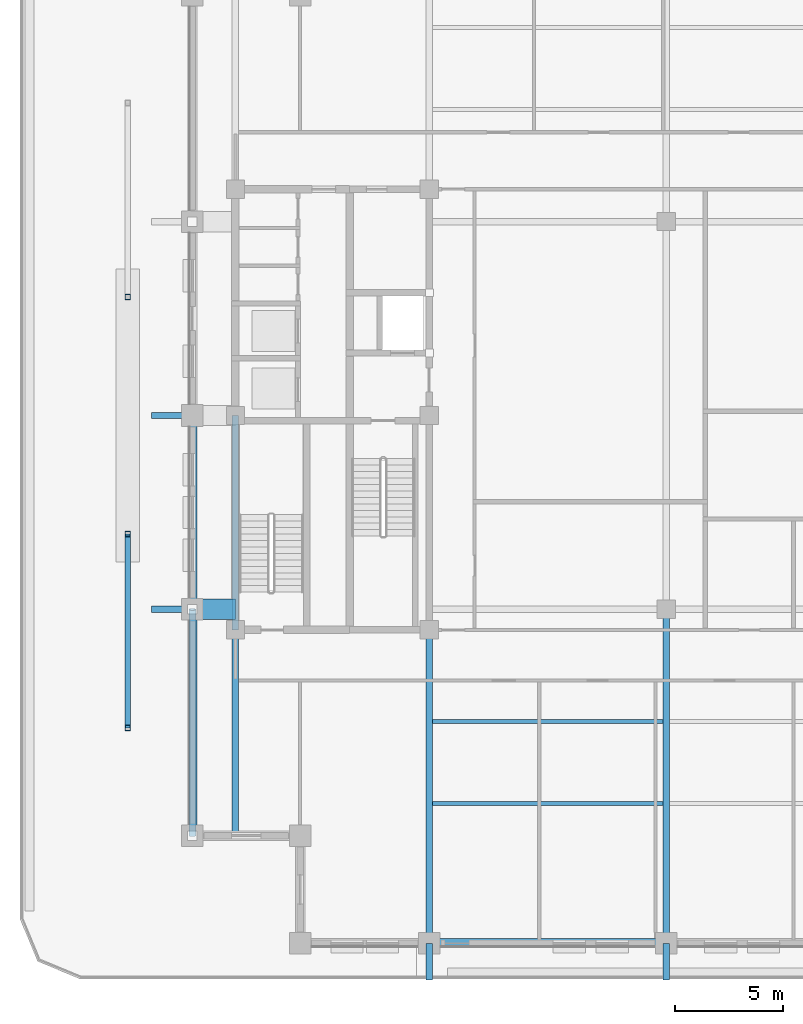
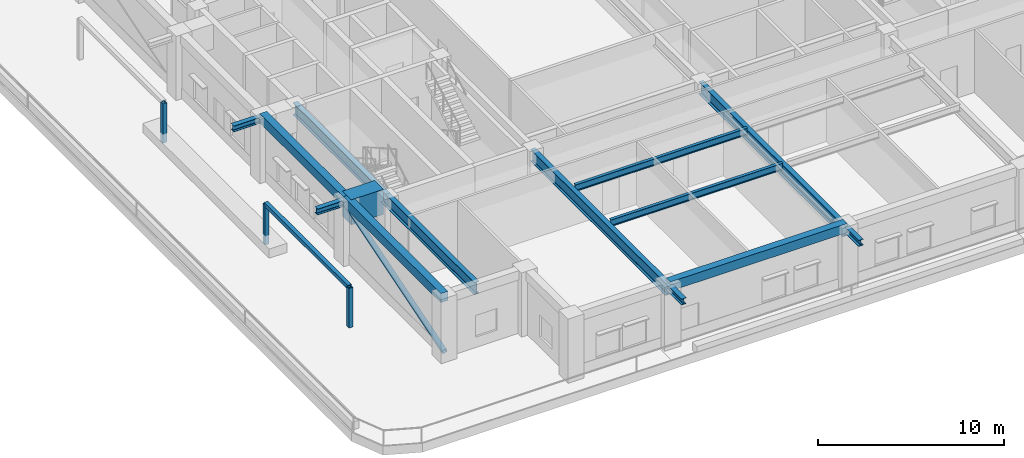
# One storey, part 2 of 20: 14 beams, 5 members.
"""IFC4 building model written with IfcOpenShell, lengths in metres."""

from ifc_helpers import new_model, si_unit, direction, frame, origin, origin_2d, place, context, subcontext, project, spatial, rectangle, hollow_rectangle, hollow_circle, i_section, extrude, material, material_profile, profile_set, type_object, element, save


model = new_model("IFC4")

# Units and contexts
model_context = context("Model", 3, precision=1e-05, world=origin(), true_north=direction((0.0, 1.0)))
body_context = subcontext(model_context, "Body", "Model", "MODEL_VIEW")
ifc_project = project(units=[si_unit("LENGTHUNIT", "METRE"), si_unit("AREAUNIT", "SQUARE_METRE"), si_unit("VOLUMEUNIT", "CUBIC_METRE"), si_unit("PLANEANGLEUNIT", "RADIAN"), si_unit("MASSUNIT", "GRAM", prefix="KILO")], contexts=[model_context])

# Site, building, storey
site_placement = place(None, origin())
site = spatial("IfcSite", under=ifc_project, at=site_placement, CompositionType="ELEMENT")
building_placement = place(site_placement, origin())
building = spatial("IfcBuilding", under=site, at=building_placement, Name="Zulmaris Gate Convention Tower", CompositionType="ELEMENT")
storey_placement = place(building_placement, frame((0.0, 0.0, 158.23974609375)))
storey = spatial("IfcBuildingStorey", under=building, at=storey_placement, Name="L40", CompositionType="ELEMENT", Elevation=158.23974609375)

# Beams
ifc_material_1 = material(Name="Steel S355", Category="steel")
ifc_material_profile_1 = material_profile(ifc_material_1, i_section(OverallWidth=0.300048828125, OverallDepth=0.39990234375, WebThickness=0.013427734375, FlangeThickness=0.02392578125, FilletRadius=0.027099609375, at=origin_2d()), Name="HEB 400")
ifc_profile_set_1 = profile_set([ifc_material_profile_1], Name="Steel S355")
beam_type_1 = type_object("IfcBeamType", Name="BM-HEB400", PredefinedType="BEAM", material=ifc_profile_set_1)
for number, where, z_axis, x_axis, name in (
    (1, (-11.0, -26.199951171875, 3.793212890625), (0.0, 1.0, 0.0), (-1.0, 0.0, 0.0), "L40 Beam TBRK-L40-S--11"),
    (2, (0.0, -26.199951171875, 3.793212890625), (0.0, 1.0, 0.0), (-1.0, 0.0, 0.0), "L40 Beam TBRK-L40-S-+0"),
):
    element("IfcBeam", number, at=place(storey_placement, frame(where, z_axis=z_axis, x_axis=x_axis)), inside=storey, type_object=beam_type_1, Name=name, PredefinedType="BEAM", context=body_context, shape_type="SweptSolid", body=[
        extrude(i_section(OverallWidth=0.300048828125, OverallDepth=0.39990234375, WebThickness=0.013427734375, FlangeThickness=0.02392578125, FilletRadius=0.027099609375, at=origin_2d()), origin(), (0.0, 0.0, 1.0), 1.699951171875),
    ])
for number, where, z_axis, x_axis, name in (
    (3, (-23.89990234375, -9.0, 3.830078125), (1.0, 0.0, 0.0), (0.0, 1.0, 0.0), "L40 Beam TBRK-L40-W--9"),
    (4, (-23.89990234375, 0.0, 3.830078125), (1.0, 0.0, 0.0), (0.0, 1.0, 0.0), "L40 Beam TBRK-L40-W-+0"),
):
    element("IfcBeam", number, at=place(storey_placement, frame(where, z_axis=z_axis, x_axis=x_axis)), inside=storey, type_object=beam_type_1, Name=name, PredefinedType="BEAM", context=body_context, shape_type="SweptSolid", body=[
        extrude(i_section(OverallWidth=0.300048828125, OverallDepth=0.39990234375, WebThickness=0.013427734375, FlangeThickness=0.02392578125, FilletRadius=0.027099609375, at=origin_2d()), origin(), (0.0, 0.0, 1.0), 1.89990234375),
    ])
ifc_material_profile_2 = material_profile(ifc_material_1, i_section(OverallWidth=0.300048828125, OverallDepth=0.800048828125, WebThickness=0.017578125, FlangeThickness=0.032958984375, FilletRadius=0.030029296875, at=origin_2d()), Name="HEB 800")
ifc_profile_set_2 = profile_set([ifc_material_profile_2], Name="Steel S355")
beam_type_2 = type_object("IfcBeamType", Name="BM-HEB800", PredefinedType="BEAM", material=ifc_profile_set_2)
beam_1_placement = place(storey_placement, frame((0.0, -24.5, 3.59326171875), z_axis=(0.0, 1.0, 0.0), x_axis=(-1.0, 0.0, 0.0)))
element("IfcBeam", 5, at=beam_1_placement, inside=storey, type_object=beam_type_2, Name="L40 Beam BM-L40-G05", PredefinedType="BEAM", context=body_context, shape_type="SweptSolid", body=[
    extrude(i_section(OverallWidth=0.300048828125, OverallDepth=0.800048828125, WebThickness=0.017578125, FlangeThickness=0.032958984375, FilletRadius=0.030029296875, at=origin_2d()), origin(), (0.0, 0.0, 1.0), 15.5),
])
beam_2_placement = place(storey_placement, frame((-11.0, -24.5, 3.59326171875), z_axis=(0.0, 1.0, 0.0), x_axis=(-1.0, 0.0, 0.0)))
element("IfcBeam", 6, at=beam_2_placement, inside=storey, type_object=beam_type_2, Name="L40 Beam BM-L40-G08", PredefinedType="BEAM", context=body_context, shape_type="SweptSolid", body=[
    extrude(i_section(OverallWidth=0.300048828125, OverallDepth=0.800048828125, WebThickness=0.017578125, FlangeThickness=0.032958984375, FilletRadius=0.030029296875, at=origin_2d()), origin(), (0.0, 0.0, 1.0), 14.550048828125),
])
beam_3_placement = place(storey_placement, frame((-20.0, -19.5, 3.76806640625), z_axis=(0.0, 1.0, 0.0), x_axis=(-1.0, 0.0, 0.0)))
element("IfcBeam", 7, at=beam_3_placement, inside=storey, type_object=beam_type_2, Name="L40 Beam BM-L40-G12", PredefinedType="BEAM", context=body_context, shape_type="SweptSolid", body=[
    extrude(i_section(OverallWidth=0.300048828125, OverallDepth=0.800048828125, WebThickness=0.017578125, FlangeThickness=0.032958984375, FilletRadius=0.030029296875, at=origin_2d()), origin(), (0.0, 0.0, 1.0), 9.550048828125),
])
beam_4_placement = place(storey_placement, frame((-20.0, -9.949951171875, 3.76806640625), z_axis=(0.0, 1.0, 0.0), x_axis=(-1.0, 0.0, 0.0)))
element("IfcBeam", 8, at=beam_4_placement, inside=storey, type_object=beam_type_2, Name="L40 Beam BM-L40-G26", PredefinedType="BEAM", context=body_context, shape_type="SweptSolid", body=[
    extrude(i_section(OverallWidth=0.300048828125, OverallDepth=0.800048828125, WebThickness=0.017578125, FlangeThickness=0.032958984375, FilletRadius=0.030029296875, at=origin_2d()), origin(), (0.0, 0.0, 1.0), 9.949951171875),
])
ifc_material_2 = material(Name="Precast concrete C50/60", Category="concrete")
ifc_material_profile_3 = material_profile(ifc_material_2, rectangle(XDim=0.449951171875, YDim=0.60009765625, at=origin_2d()), Name="RC SPANDREL 450x600")
ifc_profile_set_3 = profile_set([ifc_material_profile_3], Name="Precast concrete C50/60")
beam_type_3 = type_object("IfcBeamType", Name="BM-SP450x600", PredefinedType="SPANDREL", material=ifc_profile_set_3)
beam_5_placement = place(storey_placement, frame((-11.0, -24.5, 3.8701171875), z_axis=(1.0, 0.0, 0.0), x_axis=(0.0, 1.0, 0.0)))
element("IfcBeam", 9, at=beam_5_placement, inside=storey, type_object=beam_type_3, Name="L40 Spandrel SP-L40-02", PredefinedType="SPANDREL", context=body_context, shape_type="SweptSolid", body=[
    extrude(rectangle(XDim=0.449951171875, YDim=0.60009765625, at=origin_2d()), origin(), (0.0, 0.0, 1.0), 11.0),
])
beam_6_placement = place(storey_placement, frame((-22.0, 0.0, 3.8701171875), z_axis=(0.0, -1.0, 0.0), x_axis=(1.0, 0.0, 0.0)))
element("IfcBeam", 10, at=beam_6_placement, inside=storey, type_object=beam_type_3, Name="L40 Spandrel SP-L40-21", PredefinedType="SPANDREL", context=body_context, shape_type="SweptSolid", body=[
    extrude(rectangle(XDim=0.449951171875, YDim=0.60009765625, at=origin_2d()), origin(), (0.0, 0.0, 1.0), 9.0),
])
beam_7_placement = place(storey_placement, frame((-22.0, -9.0, 3.8701171875), z_axis=(0.0, -1.0, 0.0), x_axis=(1.0, 0.0, 0.0)))
element("IfcBeam", 11, at=beam_7_placement, inside=storey, type_object=beam_type_3, Name="L40 Spandrel SP-L40-22", PredefinedType="SPANDREL", context=body_context, shape_type="SweptSolid", body=[
    extrude(rectangle(XDim=0.449951171875, YDim=0.60009765625, at=origin_2d()), origin(), (0.0, 0.0, 1.0), 10.5),
])
ifc_material_3 = material(Name="Concrete C80/95", Category="concrete")
ifc_material_profile_4 = material_profile(ifc_material_3, rectangle(XDim=0.949951171875, YDim=1.64990234375, at=origin_2d()), Name="RC TRANSFER 950x1650")
ifc_profile_set_4 = profile_set([ifc_material_profile_4], Name="Concrete C80/95")
beam_type_4 = type_object("IfcBeamType", Name="BM-XFER1650", PredefinedType="BEAM", material=ifc_profile_set_4)
beam_8_placement = place(storey_placement, frame((-22.0, -9.0, 3.34521484375), z_axis=(1.0, 0.0, 0.0), x_axis=(0.0, 1.0, 0.0)))
element("IfcBeam", 12, at=beam_8_placement, inside=storey, type_object=beam_type_4, Name="L40 Beam BM-L40-G16", PredefinedType="BEAM", context=body_context, shape_type="SweptSolid", body=[
    extrude(rectangle(XDim=0.949951171875, YDim=1.64990234375, at=origin_2d()), origin(), (0.0, 0.0, 1.0), 2.0),
])

# Member
ifc_material_profile_5 = material_profile(ifc_material_1, hollow_circle(Radius=0.161865234375, WallThickness=0.01611328125, at=origin_2d()), Name="CHS 323.9x16")
ifc_profile_set_5 = profile_set([ifc_material_profile_5], Name="Steel S355")
member_type_1 = type_object("IfcMemberType", Name="BR-CHS324", PredefinedType="BRACE", material=ifc_profile_set_5)
member_1_placement = place(storey_placement, frame((-22.0, -19.5, 0.300048828125), z_axis=(0.0, 0.955285890691, 0.295683728071), x_axis=(-1.0, 0.0, 0.0)))
element("IfcMember", 13, at=member_1_placement, inside=storey, type_object=member_type_1, Name="L40 Perimeter Tube Diagonal SW-W", PredefinedType="BRACE", context=body_context, shape_type="SweptSolid", body=[
    extrude(hollow_circle(Radius=0.161865234375, WallThickness=0.01611328125, at=origin_2d()), origin(), (0.0, 0.0, 1.0), 10.991455078125),
])

# Beams
ifc_material_profile_6 = material_profile(ifc_material_1, i_section(OverallWidth=0.18994140625, OverallDepth=0.449951171875, WebThickness=0.009521484375, FlangeThickness=0.0146484375, FilletRadius=0.02099609375, at=origin_2d()), Name="IPE 450")
ifc_profile_set_6 = profile_set([ifc_material_profile_6], Name="Steel S355")
beam_type_5 = type_object("IfcBeamType", Name="JT-IPE450", PredefinedType="JOIST", material=ifc_profile_set_6)
for number, where, z_axis, x_axis, name in (
    (14, (-10.85009765625, -18.0, 3.943115234375), (1.0, 0.0, 0.0), (0.0, 1.0, 0.0), "L40 Joist JT-L40-CW--18.0"),
    (15, (-10.85009765625, -14.199951171875, 3.943115234375), (1.0, 0.0, 0.0), (0.0, 1.0, 0.0), "L40 Joist JT-L40-CW--14.2"),
):
    element("IfcBeam", number, at=place(storey_placement, frame(where, z_axis=z_axis, x_axis=x_axis)), inside=storey, type_object=beam_type_5, Name=name, PredefinedType="JOIST", context=body_context, shape_type="SweptSolid", body=[
        extrude(i_section(OverallWidth=0.18994140625, OverallDepth=0.449951171875, WebThickness=0.009521484375, FlangeThickness=0.0146484375, FilletRadius=0.02099609375, at=origin_2d()), origin(), (0.0, 0.0, 1.0), 10.7001953125),
    ])

# Members
ifc_material_profile_7 = material_profile(ifc_material_1, hollow_rectangle(XDim=0.25, YDim=0.25, WallThickness=0.012451171875, at=origin_2d()), Name="SHS 250x250x12.5")
ifc_profile_set_7 = profile_set([ifc_material_profile_7], Name="Steel S355")
member_type_2 = type_object("IfcMemberType", Name="ST-SHS250", PredefinedType="STRUT", material=ifc_profile_set_7)
for number, where, z_axis, x_axis, name in (
    (16, (-25.0, -14.5, -0.0400390625), (0.0, 0.0, 1.0), (1.0, 0.0, 0.0), "L40 Exposed Terrace Planted Pergola Post 1A"),
    (17, (-25.0, -5.5, -0.0400390625), (0.0, 0.0, 1.0), (1.0, 0.0, 0.0), "L40 Exposed Terrace Planted Pergola Post 1B"),
):
    element("IfcMember", number, at=place(storey_placement, frame(where, z_axis=z_axis, x_axis=x_axis)), inside=storey, type_object=member_type_2, Name=name, PredefinedType="STRUT", context=body_context, shape_type="SweptSolid", body=[
        extrude(hollow_rectangle(XDim=0.25, YDim=0.25, WallThickness=0.012451171875, at=origin_2d()), origin(), (0.0, 0.0, 1.0), 2.60009765625),
    ])
member_2_placement = place(storey_placement, frame((-25.0, -14.5, 2.56005859375), z_axis=(0.0, 1.0, 0.0), x_axis=(-1.0, 0.0, 0.0)))
element("IfcMember", 18, at=member_2_placement, inside=storey, type_object=member_type_2, Name="L40 Exposed Terrace Planted Pergola Beam 1", PredefinedType="STRUT", context=body_context, shape_type="SweptSolid", body=[
    extrude(hollow_rectangle(XDim=0.25, YDim=0.25, WallThickness=0.012451171875, at=origin_2d()), origin(), (0.0, 0.0, 1.0), 9.0),
])
member_3_placement = place(storey_placement, frame((-25.0, 5.5, -0.0400390625), z_axis=(0.0, 0.0, 1.0), x_axis=(1.0, 0.0, 0.0)))
element("IfcMember", 19, at=member_3_placement, inside=storey, type_object=member_type_2, Name="L40 Exposed Terrace Planted Pergola Post 2A", PredefinedType="STRUT", context=body_context, shape_type="SweptSolid", body=[
    extrude(hollow_rectangle(XDim=0.25, YDim=0.25, WallThickness=0.012451171875, at=origin_2d()), origin(), (0.0, 0.0, 1.0), 2.60009765625),
])

save(model, "model.ifc")
